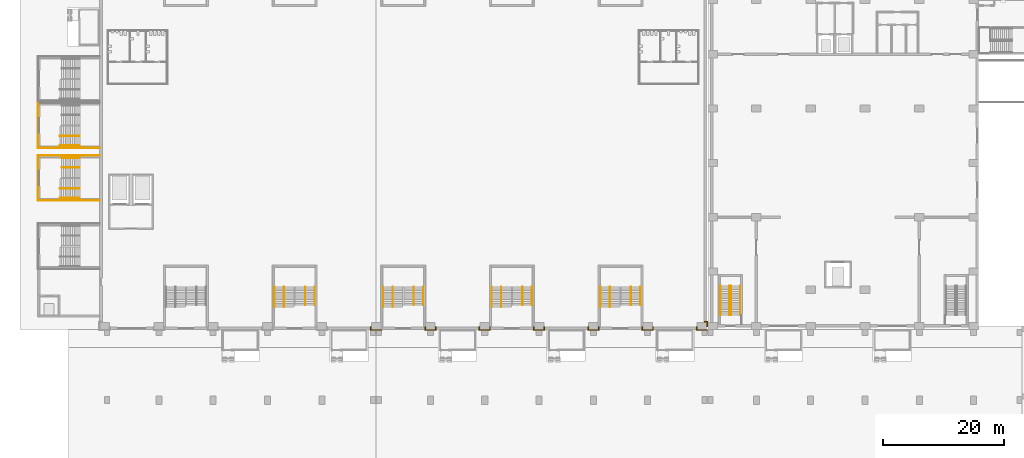
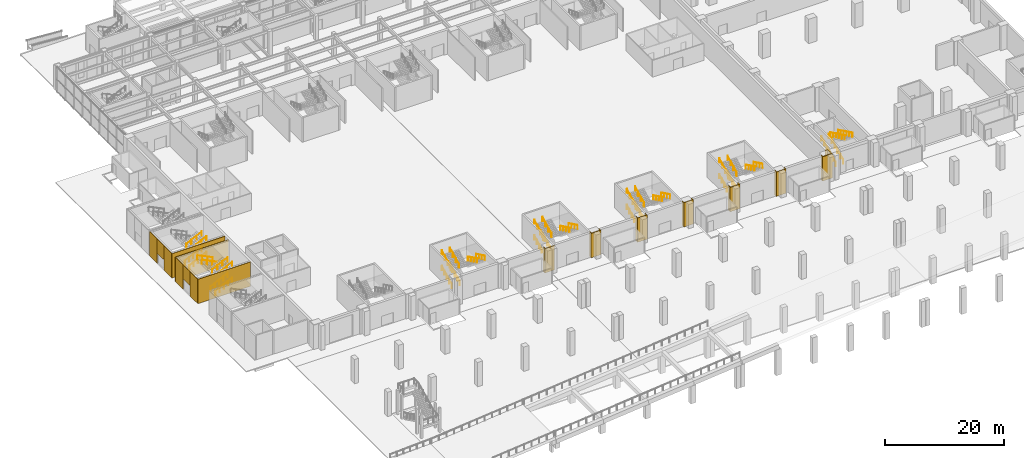
# One storey, part 65 of 77: 38 railings, 17 coverings.
"""IFC4 building model written with IfcOpenShell, lengths in metres."""

from ifc_helpers import new_model, si_unit, direction, frame, origin, origin_2d, place, context, subcontext, project, spatial, polyline, circle, outline, extrude, material, layer, layer_set, type_object, element, save


model = new_model("IFC4")

# Units and contexts
model_context = context("Model", 3, precision=1e-05, world=origin(), true_north=direction((0.0, 1.0)))
body_context = subcontext(model_context, "Body", "Model", "MODEL_VIEW")
ifc_project = project(units=[si_unit("LENGTHUNIT", "METRE"), si_unit("AREAUNIT", "SQUARE_METRE"), si_unit("VOLUMEUNIT", "CUBIC_METRE"), si_unit("PLANEANGLEUNIT", "RADIAN"), si_unit("MASSUNIT", "GRAM", prefix="KILO")], contexts=[model_context])

# Site, building, storey
site_placement = place(None, origin())
site = spatial("IfcSite", under=ifc_project, at=site_placement, CompositionType="ELEMENT")
building_placement = place(site_placement, origin())
building = spatial("IfcBuilding", under=site, at=building_placement, Name="Aravalli Gate Trade Fair Centre", CompositionType="ELEMENT")
storey_placement = place(building_placement, origin())
storey = spatial("IfcBuildingStorey", under=building, at=storey_placement, Name="L00", CompositionType="ELEMENT", Elevation=0.0)

# Railings
ifc_material_1 = material(Name="Steel E350", Category="steel")
railing_type_1 = type_object("IfcRailingType", Name="Congress stair handrail 900", PredefinedType="HANDRAIL", material=ifc_material_1)
for number, where, name in (
    (1, (108.070068359375, 47.800048828125, 0.147216796875), "Handrail GS1 L00 1"),
    (2, (109.550048828125, 47.800048828125, 0.147216796875), "Handrail GS1 L00 2"),
):
    element("IfcRailing", number, at=place(storey_placement, frame(where)), inside=storey, type_object=railing_type_1, Name=name, PredefinedType="HANDRAIL", context=body_context, shape_type="SweptSolid", body=[
        extrude(circle(Radius=0.02392578125, at=origin_2d()), frame((0.0, 0.0, 0.8759765625), z_axis=(0.0, 0.89793417156, 0.440129780343), x_axis=(-1.0, 0.0, 0.0)), (0.0, 0.0, 1.0), 5.345703125),
        extrude(circle(Radius=0.02099609375, at=origin_2d()), origin(), (0.0, 0.0, 1.0), 0.851806640625),
        extrude(circle(Radius=0.02099609375, at=origin_2d()), frame((0.0, 0.9599609375, 0.470458984375)), (0.0, 0.0, 1.0), 0.851806640625),
        extrude(circle(Radius=0.02099609375, at=origin_2d()), frame((0.0, 1.919921875, 0.941162109375)), (0.0, 0.0, 1.0), 0.851806640625),
        extrude(circle(Radius=0.02099609375, at=origin_2d()), frame((0.0, 2.880126953125, 1.41162109375)), (0.0, 0.0, 1.0), 0.851806640625),
        extrude(circle(Radius=0.02099609375, at=origin_2d()), frame((0.0, 3.840087890625, 1.88232421875)), (0.0, 0.0, 1.0), 0.851806640625),
        extrude(circle(Radius=0.02099609375, at=origin_2d()), frame((0.0, 4.800048828125, 2.352783203125)), (0.0, 0.0, 1.0), 0.851806640625),
    ])
for number, where, name in (
    (3, (111.330078125, 52.60009765625, 2.647216796875), "Handrail GS1 L00 3"),
    (4, (109.85009765625, 52.60009765625, 2.647216796875), "Handrail GS1 L00 4"),
):
    element("IfcRailing", number, at=place(storey_placement, frame(where)), inside=storey, type_object=railing_type_1, Name=name, PredefinedType="HANDRAIL", context=body_context, shape_type="SweptSolid", body=[
        extrude(circle(Radius=0.02392578125, at=origin_2d()), frame((0.0, 0.0, 0.8759765625), z_axis=(0.0, -0.89793417156, 0.440129780343), x_axis=(1.0, 0.0, 0.0)), (0.0, 0.0, 1.0), 5.345703125),
        extrude(circle(Radius=0.02099609375, at=origin_2d()), origin(), (0.0, 0.0, 1.0), 0.851806640625),
        extrude(circle(Radius=0.02099609375, at=origin_2d()), frame((0.0, -0.9599609375, 0.470458984375)), (0.0, 0.0, 1.0), 0.851806640625),
        extrude(circle(Radius=0.02099609375, at=origin_2d()), frame((0.0, -1.919921875, 0.941162109375)), (0.0, 0.0, 1.0), 0.851806640625),
        extrude(circle(Radius=0.02099609375, at=origin_2d()), frame((0.0, -2.880126953125, 1.41162109375)), (0.0, 0.0, 1.0), 0.851806640625),
        extrude(circle(Radius=0.02099609375, at=origin_2d()), frame((0.0, -3.840087890625, 1.88232421875)), (0.0, 0.0, 1.0), 0.851806640625),
        extrude(circle(Radius=0.02099609375, at=origin_2d()), frame((0.0, -4.800048828125, 2.352783203125)), (0.0, 0.0, 1.0), 0.851806640625),
    ])

# Coverings
ifc_material_2 = material(Name="Terracotta", Category="masonry")
ifc_layer_1 = layer(ifc_material_2, 0.10009765625)
ifc_layer_set_1 = layer_set([ifc_layer_1], Name="Terracotta")
covering_type_1 = type_object("IfcCoveringType", Name="End tower cladding 100", PredefinedType="CLADDING", material=ifc_layer_set_1)
covering_1_placement = place(storey_placement, origin())
element("IfcCovering", 5, at=covering_1_placement, inside=storey, type_object=covering_type_1, Name="End tower W2 cladding L00 side A", PredefinedType="CLADDING", context=body_context, shape_type="SweptSolid", body=[
    extrude(outline(polyline([(5.199951171875, 75.39990234375), (-5.10009765625, 75.39990234375), (-5.10009765625, 75.5), (5.199951171875, 75.5), (5.199951171875, 75.39990234375)])), origin(), (0.0, 0.0, 1.0), 5.0),
])
covering_2_placement = place(storey_placement, origin())
element("IfcCovering", 6, at=covering_2_placement, inside=storey, type_object=covering_type_1, Name="End tower W2 cladding L00 far left", PredefinedType="CLADDING", context=body_context, shape_type="SweptSolid", body=[
    extrude(outline(polyline([(-5.0, 75.5), (-5.10009765625, 75.5), (-5.10009765625, 78.02490234375), (-5.0, 78.02490234375), (-5.0, 75.5)])), origin(), (0.0, 0.0, 1.0), 5.0),
])
covering_3_placement = place(storey_placement, origin())
element("IfcCovering", 7, at=covering_3_placement, inside=storey, type_object=covering_type_1, Name="End tower W2 cladding L00 far right", PredefinedType="CLADDING", context=body_context, shape_type="SweptSolid", body=[
    extrude(outline(polyline([(-5.0, 80.375), (-5.10009765625, 80.375), (-5.10009765625, 82.89990234375), (-5.0, 82.89990234375), (-5.0, 80.375)])), origin(), (0.0, 0.0, 1.0), 5.0),
])
covering_4_placement = place(storey_placement, frame((0.0, 0.0, 2.10009765625)))
element("IfcCovering", 8, at=covering_4_placement, inside=storey, type_object=covering_type_1, Name="End tower W2 cladding L00 above the door", PredefinedType="CLADDING", context=body_context, shape_type="SweptSolid", body=[
    extrude(outline(polyline([(-5.0, 78.02490234375), (-5.10009765625, 78.02490234375), (-5.10009765625, 80.375), (-5.0, 80.375), (-5.0, 78.02490234375)])), origin(), (0.0, 0.0, 1.0), 2.89990234375),
])
covering_5_placement = place(storey_placement, origin())
element("IfcCovering", 9, at=covering_5_placement, inside=storey, type_object=covering_type_1, Name="End tower W4 cladding L00 side A", PredefinedType="CLADDING", context=body_context, shape_type="SweptSolid", body=[
    extrude(outline(polyline([(5.199951171875, 66.699951171875), (-5.10009765625, 66.699951171875), (-5.10009765625, 66.800048828125), (5.199951171875, 66.800048828125), (5.199951171875, 66.699951171875)])), origin(), (0.0, 0.0, 1.0), 5.0),
])
covering_6_placement = place(storey_placement, origin())
element("IfcCovering", 10, at=covering_6_placement, inside=storey, type_object=covering_type_1, Name="End tower W4 cladding L00 side B", PredefinedType="CLADDING", context=body_context, shape_type="SweptSolid", body=[
    extrude(outline(polyline([(5.199951171875, 74.199951171875), (-5.10009765625, 74.199951171875), (-5.10009765625, 74.300048828125), (5.199951171875, 74.300048828125), (5.199951171875, 74.199951171875)])), origin(), (0.0, 0.0, 1.0), 5.0),
])
covering_7_placement = place(storey_placement, origin())
element("IfcCovering", 11, at=covering_7_placement, inside=storey, type_object=covering_type_1, Name="End tower W4 cladding L00 far left", PredefinedType="CLADDING", context=body_context, shape_type="SweptSolid", body=[
    extrude(outline(polyline([(-5.0, 66.800048828125), (-5.10009765625, 66.800048828125), (-5.10009765625, 69.324951171875), (-5.0, 69.324951171875), (-5.0, 66.800048828125)])), origin(), (0.0, 0.0, 1.0), 5.0),
])
covering_8_placement = place(storey_placement, origin())
element("IfcCovering", 12, at=covering_8_placement, inside=storey, type_object=covering_type_1, Name="End tower W4 cladding L00 far right", PredefinedType="CLADDING", context=body_context, shape_type="SweptSolid", body=[
    extrude(outline(polyline([(-5.0, 71.675048828125), (-5.10009765625, 71.675048828125), (-5.10009765625, 74.199951171875), (-5.0, 74.199951171875), (-5.0, 71.675048828125)])), origin(), (0.0, 0.0, 1.0), 5.0),
])
covering_9_placement = place(storey_placement, frame((0.0, 0.0, 2.10009765625)))
element("IfcCovering", 13, at=covering_9_placement, inside=storey, type_object=covering_type_1, Name="End tower W4 cladding L00 above the door", PredefinedType="CLADDING", context=body_context, shape_type="SweptSolid", body=[
    extrude(outline(polyline([(-5.0, 69.324951171875), (-5.10009765625, 69.324951171875), (-5.10009765625, 71.675048828125), (-5.0, 71.675048828125), (-5.0, 69.324951171875)])), origin(), (0.0, 0.0, 1.0), 2.89990234375),
])

# Railings
railing_type_2 = type_object("IfcRailingType", Name="Stair handrail 900", PredefinedType="HANDRAIL", material=ifc_material_1)
for number, where, name in (
    (14, (34.169921875, 49.14990234375, 0.147216796875), "Handrail S04 L00 1"),
    (15, (35.75, 49.14990234375, 0.147216796875), "Handrail centre S04 L00 2"),
):
    element("IfcRailing", number, at=place(storey_placement, frame(where)), inside=storey, type_object=railing_type_2, Name=name, PredefinedType="HANDRAIL", context=body_context, shape_type="SweptSolid", body=[
        extrude(circle(Radius=0.02392578125, at=origin_2d()), frame((0.0, 0.0, 0.8759765625), z_axis=(0.0, 0.897946461621, 0.440104705795), x_axis=(-1.0, 0.0, 0.0)), (0.0, 0.0, 1.0), 3.675048828125),
        extrude(circle(Radius=0.02099609375, at=origin_2d()), origin(), (0.0, 0.0, 1.0), 0.851806640625),
        extrude(circle(Radius=0.02099609375, at=origin_2d()), frame((0.0, 0.824951171875, 0.404296875)), (0.0, 0.0, 1.0), 0.851806640625),
        extrude(circle(Radius=0.02099609375, at=origin_2d()), frame((0.0, 1.64990234375, 0.80859375)), (0.0, 0.0, 1.0), 0.851806640625),
        extrude(circle(Radius=0.02099609375, at=origin_2d()), frame((0.0, 2.47509765625, 1.213134765625)), (0.0, 0.0, 1.0), 0.851806640625),
        extrude(circle(Radius=0.02099609375, at=origin_2d()), frame((0.0, 3.300048828125, 1.617431640625)), (0.0, 0.0, 1.0), 0.851806640625),
    ])
for number, where, name in (
    (16, (40.830078125, 52.449951171875, 1.911865234375), "Handrail S04 L00 3"),
    (17, (39.25, 52.449951171875, 1.911865234375), "Handrail centre S04 L00 4"),
):
    element("IfcRailing", number, at=place(storey_placement, frame(where)), inside=storey, type_object=railing_type_2, Name=name, PredefinedType="HANDRAIL", context=body_context, shape_type="SweptSolid", body=[
        extrude(circle(Radius=0.02392578125, at=origin_2d()), frame((0.0, 0.0, 0.8759765625), z_axis=(0.0, -0.897936012048, 0.440126025437), x_axis=(1.0, 0.0, 0.0)), (0.0, 0.0, 1.0), 3.341064453125),
        extrude(circle(Radius=0.02099609375, at=origin_2d()), origin(), (0.0, 0.0, 1.0), 0.851806640625),
        extrude(circle(Radius=0.02099609375, at=origin_2d()), frame((0.0, -1.0, 0.490234375)), (0.0, 0.0, 1.0), 0.851806640625),
        extrude(circle(Radius=0.02099609375, at=origin_2d()), frame((0.0, -2.0, 0.980224609375)), (0.0, 0.0, 1.0), 0.851806640625),
        extrude(circle(Radius=0.02099609375, at=origin_2d()), frame((0.0, -3.0, 1.470458984375)), (0.0, 0.0, 1.0), 0.851806640625),
    ])
for number, where, name in (
    (18, (34.169921875, 49.449951171875, 3.529296875), "Handrail S04 L00 5"),
    (19, (35.75, 49.449951171875, 3.529296875), "Handrail centre S04 L00 6"),
):
    element("IfcRailing", number, at=place(storey_placement, frame(where)), inside=storey, type_object=railing_type_2, Name=name, PredefinedType="HANDRAIL", context=body_context, shape_type="SweptSolid", body=[
        extrude(circle(Radius=0.02392578125, at=origin_2d()), frame((0.0, 0.0, 0.8759765625), z_axis=(0.0, 0.897907131747, 0.44018494154), x_axis=(-1.0, 0.0, 0.0)), (0.0, 0.0, 1.0), 3.341064453125),
        extrude(circle(Radius=0.02099609375, at=origin_2d()), origin(), (0.0, 0.0, 1.0), 0.851806640625),
        extrude(circle(Radius=0.02099609375, at=origin_2d()), frame((0.0, 1.0, 0.490234375)), (0.0, 0.0, 1.0), 0.851806640625),
        extrude(circle(Radius=0.02099609375, at=origin_2d()), frame((0.0, 2.0, 0.98046875)), (0.0, 0.0, 1.0), 0.851806640625),
        extrude(circle(Radius=0.02099609375, at=origin_2d()), frame((0.0, 3.0, 1.470703125)), (0.0, 0.0, 1.0), 0.851806640625),
    ])
for number, where, name in (
    (20, (52.169921875, 49.14990234375, 0.147216796875), "Handrail S06 L00 1"),
    (21, (53.75, 49.14990234375, 0.147216796875), "Handrail centre S06 L00 2"),
):
    element("IfcRailing", number, at=place(storey_placement, frame(where)), inside=storey, type_object=railing_type_2, Name=name, PredefinedType="HANDRAIL", context=body_context, shape_type="SweptSolid", body=[
        extrude(circle(Radius=0.02392578125, at=origin_2d()), frame((0.0, 0.0, 0.8759765625), z_axis=(0.0, 0.897946461621, 0.440104705795), x_axis=(-1.0, 0.0, 0.0)), (0.0, 0.0, 1.0), 3.675048828125),
        extrude(circle(Radius=0.02099609375, at=origin_2d()), origin(), (0.0, 0.0, 1.0), 0.851806640625),
        extrude(circle(Radius=0.02099609375, at=origin_2d()), frame((0.0, 0.824951171875, 0.404296875)), (0.0, 0.0, 1.0), 0.851806640625),
        extrude(circle(Radius=0.02099609375, at=origin_2d()), frame((0.0, 1.64990234375, 0.80859375)), (0.0, 0.0, 1.0), 0.851806640625),
        extrude(circle(Radius=0.02099609375, at=origin_2d()), frame((0.0, 2.47509765625, 1.213134765625)), (0.0, 0.0, 1.0), 0.851806640625),
        extrude(circle(Radius=0.02099609375, at=origin_2d()), frame((0.0, 3.300048828125, 1.617431640625)), (0.0, 0.0, 1.0), 0.851806640625),
    ])
for number, where, name in (
    (22, (58.830078125, 52.449951171875, 1.911865234375), "Handrail S06 L00 3"),
    (23, (57.25, 52.449951171875, 1.911865234375), "Handrail centre S06 L00 4"),
):
    element("IfcRailing", number, at=place(storey_placement, frame(where)), inside=storey, type_object=railing_type_2, Name=name, PredefinedType="HANDRAIL", context=body_context, shape_type="SweptSolid", body=[
        extrude(circle(Radius=0.02392578125, at=origin_2d()), frame((0.0, 0.0, 0.8759765625), z_axis=(0.0, -0.897936012048, 0.440126025437), x_axis=(1.0, 0.0, 0.0)), (0.0, 0.0, 1.0), 3.341064453125),
        extrude(circle(Radius=0.02099609375, at=origin_2d()), origin(), (0.0, 0.0, 1.0), 0.851806640625),
        extrude(circle(Radius=0.02099609375, at=origin_2d()), frame((0.0, -1.0, 0.490234375)), (0.0, 0.0, 1.0), 0.851806640625),
        extrude(circle(Radius=0.02099609375, at=origin_2d()), frame((0.0, -2.0, 0.980224609375)), (0.0, 0.0, 1.0), 0.851806640625),
        extrude(circle(Radius=0.02099609375, at=origin_2d()), frame((0.0, -3.0, 1.470458984375)), (0.0, 0.0, 1.0), 0.851806640625),
    ])
for number, where, name in (
    (24, (52.169921875, 49.449951171875, 3.529296875), "Handrail S06 L00 5"),
    (25, (53.75, 49.449951171875, 3.529296875), "Handrail centre S06 L00 6"),
):
    element("IfcRailing", number, at=place(storey_placement, frame(where)), inside=storey, type_object=railing_type_2, Name=name, PredefinedType="HANDRAIL", context=body_context, shape_type="SweptSolid", body=[
        extrude(circle(Radius=0.02392578125, at=origin_2d()), frame((0.0, 0.0, 0.8759765625), z_axis=(0.0, 0.897907131747, 0.44018494154), x_axis=(-1.0, 0.0, 0.0)), (0.0, 0.0, 1.0), 3.341064453125),
        extrude(circle(Radius=0.02099609375, at=origin_2d()), origin(), (0.0, 0.0, 1.0), 0.851806640625),
        extrude(circle(Radius=0.02099609375, at=origin_2d()), frame((0.0, 1.0, 0.490234375)), (0.0, 0.0, 1.0), 0.851806640625),
        extrude(circle(Radius=0.02099609375, at=origin_2d()), frame((0.0, 2.0, 0.98046875)), (0.0, 0.0, 1.0), 0.851806640625),
        extrude(circle(Radius=0.02099609375, at=origin_2d()), frame((0.0, 3.0, 1.470703125)), (0.0, 0.0, 1.0), 0.851806640625),
    ])
for number, where, name in (
    (26, (70.169921875, 49.14990234375, 0.147216796875), "Handrail S08 L00 1"),
    (27, (71.75, 49.14990234375, 0.147216796875), "Handrail centre S08 L00 2"),
):
    element("IfcRailing", number, at=place(storey_placement, frame(where)), inside=storey, type_object=railing_type_2, Name=name, PredefinedType="HANDRAIL", context=body_context, shape_type="SweptSolid", body=[
        extrude(circle(Radius=0.02392578125, at=origin_2d()), frame((0.0, 0.0, 0.8759765625), z_axis=(0.0, 0.897946461621, 0.440104705795), x_axis=(-1.0, 0.0, 0.0)), (0.0, 0.0, 1.0), 3.675048828125),
        extrude(circle(Radius=0.02099609375, at=origin_2d()), origin(), (0.0, 0.0, 1.0), 0.851806640625),
        extrude(circle(Radius=0.02099609375, at=origin_2d()), frame((0.0, 0.824951171875, 0.404296875)), (0.0, 0.0, 1.0), 0.851806640625),
        extrude(circle(Radius=0.02099609375, at=origin_2d()), frame((0.0, 1.64990234375, 0.80859375)), (0.0, 0.0, 1.0), 0.851806640625),
        extrude(circle(Radius=0.02099609375, at=origin_2d()), frame((0.0, 2.47509765625, 1.213134765625)), (0.0, 0.0, 1.0), 0.851806640625),
        extrude(circle(Radius=0.02099609375, at=origin_2d()), frame((0.0, 3.300048828125, 1.617431640625)), (0.0, 0.0, 1.0), 0.851806640625),
    ])
for number, where, name in (
    (28, (76.830078125, 52.449951171875, 1.911865234375), "Handrail S08 L00 3"),
    (29, (75.25, 52.449951171875, 1.911865234375), "Handrail centre S08 L00 4"),
):
    element("IfcRailing", number, at=place(storey_placement, frame(where)), inside=storey, type_object=railing_type_2, Name=name, PredefinedType="HANDRAIL", context=body_context, shape_type="SweptSolid", body=[
        extrude(circle(Radius=0.02392578125, at=origin_2d()), frame((0.0, 0.0, 0.8759765625), z_axis=(0.0, -0.897936012048, 0.440126025437), x_axis=(1.0, 0.0, 0.0)), (0.0, 0.0, 1.0), 3.341064453125),
        extrude(circle(Radius=0.02099609375, at=origin_2d()), origin(), (0.0, 0.0, 1.0), 0.851806640625),
        extrude(circle(Radius=0.02099609375, at=origin_2d()), frame((0.0, -1.0, 0.490234375)), (0.0, 0.0, 1.0), 0.851806640625),
        extrude(circle(Radius=0.02099609375, at=origin_2d()), frame((0.0, -2.0, 0.980224609375)), (0.0, 0.0, 1.0), 0.851806640625),
        extrude(circle(Radius=0.02099609375, at=origin_2d()), frame((0.0, -3.0, 1.470458984375)), (0.0, 0.0, 1.0), 0.851806640625),
    ])
for number, where, name in (
    (30, (70.169921875, 49.449951171875, 3.529296875), "Handrail S08 L00 5"),
    (31, (71.75, 49.449951171875, 3.529296875), "Handrail centre S08 L00 6"),
):
    element("IfcRailing", number, at=place(storey_placement, frame(where)), inside=storey, type_object=railing_type_2, Name=name, PredefinedType="HANDRAIL", context=body_context, shape_type="SweptSolid", body=[
        extrude(circle(Radius=0.02392578125, at=origin_2d()), frame((0.0, 0.0, 0.8759765625), z_axis=(0.0, 0.897907131747, 0.44018494154), x_axis=(-1.0, 0.0, 0.0)), (0.0, 0.0, 1.0), 3.341064453125),
        extrude(circle(Radius=0.02099609375, at=origin_2d()), origin(), (0.0, 0.0, 1.0), 0.851806640625),
        extrude(circle(Radius=0.02099609375, at=origin_2d()), frame((0.0, 1.0, 0.490234375)), (0.0, 0.0, 1.0), 0.851806640625),
        extrude(circle(Radius=0.02099609375, at=origin_2d()), frame((0.0, 2.0, 0.98046875)), (0.0, 0.0, 1.0), 0.851806640625),
        extrude(circle(Radius=0.02099609375, at=origin_2d()), frame((0.0, 3.0, 1.470703125)), (0.0, 0.0, 1.0), 0.851806640625),
    ])
for number, where, name in (
    (32, (88.169921875, 49.14990234375, 0.147216796875), "Handrail S10 L00 1"),
    (33, (89.75, 49.14990234375, 0.147216796875), "Handrail centre S10 L00 2"),
):
    element("IfcRailing", number, at=place(storey_placement, frame(where)), inside=storey, type_object=railing_type_2, Name=name, PredefinedType="HANDRAIL", context=body_context, shape_type="SweptSolid", body=[
        extrude(circle(Radius=0.02392578125, at=origin_2d()), frame((0.0, 0.0, 0.8759765625), z_axis=(0.0, 0.897946461621, 0.440104705795), x_axis=(-1.0, 0.0, 0.0)), (0.0, 0.0, 1.0), 3.675048828125),
        extrude(circle(Radius=0.02099609375, at=origin_2d()), origin(), (0.0, 0.0, 1.0), 0.851806640625),
        extrude(circle(Radius=0.02099609375, at=origin_2d()), frame((0.0, 0.824951171875, 0.404296875)), (0.0, 0.0, 1.0), 0.851806640625),
        extrude(circle(Radius=0.02099609375, at=origin_2d()), frame((0.0, 1.64990234375, 0.80859375)), (0.0, 0.0, 1.0), 0.851806640625),
        extrude(circle(Radius=0.02099609375, at=origin_2d()), frame((0.0, 2.47509765625, 1.213134765625)), (0.0, 0.0, 1.0), 0.851806640625),
        extrude(circle(Radius=0.02099609375, at=origin_2d()), frame((0.0, 3.300048828125, 1.617431640625)), (0.0, 0.0, 1.0), 0.851806640625),
    ])
for number, where, name in (
    (34, (94.830078125, 52.449951171875, 1.911865234375), "Handrail S10 L00 3"),
    (35, (93.25, 52.449951171875, 1.911865234375), "Handrail centre S10 L00 4"),
):
    element("IfcRailing", number, at=place(storey_placement, frame(where)), inside=storey, type_object=railing_type_2, Name=name, PredefinedType="HANDRAIL", context=body_context, shape_type="SweptSolid", body=[
        extrude(circle(Radius=0.02392578125, at=origin_2d()), frame((0.0, 0.0, 0.8759765625), z_axis=(0.0, -0.897936012048, 0.440126025437), x_axis=(1.0, 0.0, 0.0)), (0.0, 0.0, 1.0), 3.341064453125),
        extrude(circle(Radius=0.02099609375, at=origin_2d()), origin(), (0.0, 0.0, 1.0), 0.851806640625),
        extrude(circle(Radius=0.02099609375, at=origin_2d()), frame((0.0, -1.0, 0.490234375)), (0.0, 0.0, 1.0), 0.851806640625),
        extrude(circle(Radius=0.02099609375, at=origin_2d()), frame((0.0, -2.0, 0.980224609375)), (0.0, 0.0, 1.0), 0.851806640625),
        extrude(circle(Radius=0.02099609375, at=origin_2d()), frame((0.0, -3.0, 1.470458984375)), (0.0, 0.0, 1.0), 0.851806640625),
    ])
for number, where, name in (
    (36, (88.169921875, 49.449951171875, 3.529296875), "Handrail S10 L00 5"),
    (37, (89.75, 49.449951171875, 3.529296875), "Handrail centre S10 L00 6"),
):
    element("IfcRailing", number, at=place(storey_placement, frame(where)), inside=storey, type_object=railing_type_2, Name=name, PredefinedType="HANDRAIL", context=body_context, shape_type="SweptSolid", body=[
        extrude(circle(Radius=0.02392578125, at=origin_2d()), frame((0.0, 0.0, 0.8759765625), z_axis=(0.0, 0.897907131747, 0.44018494154), x_axis=(-1.0, 0.0, 0.0)), (0.0, 0.0, 1.0), 3.341064453125),
        extrude(circle(Radius=0.02099609375, at=origin_2d()), origin(), (0.0, 0.0, 1.0), 0.851806640625),
        extrude(circle(Radius=0.02099609375, at=origin_2d()), frame((0.0, 1.0, 0.490234375)), (0.0, 0.0, 1.0), 0.851806640625),
        extrude(circle(Radius=0.02099609375, at=origin_2d()), frame((0.0, 2.0, 0.98046875)), (0.0, 0.0, 1.0), 0.851806640625),
        extrude(circle(Radius=0.02099609375, at=origin_2d()), frame((0.0, 3.0, 1.470703125)), (0.0, 0.0, 1.0), 0.851806640625),
    ])
for number, where, name in (
    (38, (-1.39990234375, 75.8701171875, 0.147216796875), "Handrail W2 L00 1"),
    (39, (-1.39990234375, 77.449951171875, 0.147216796875), "Handrail centre W2 L00 2"),
):
    element("IfcRailing", number, at=place(storey_placement, frame(where)), inside=storey, type_object=railing_type_2, Name=name, PredefinedType="HANDRAIL", context=body_context, shape_type="SweptSolid", body=[
        extrude(circle(Radius=0.02392578125, at=origin_2d()), frame((0.0, 0.0, 0.8759765625), z_axis=(0.897933593325, 0.0, 0.440130960031), x_axis=(0.0, 1.0, 0.0)), (0.0, 0.0, 1.0), 3.6748046875),
        extrude(circle(Radius=0.02099609375, at=origin_2d()), origin(), (0.0, 0.0, 1.0), 0.851806640625),
        extrude(circle(Radius=0.02099609375, at=origin_2d()), frame((0.824951171875, 0.0, 0.404296875)), (0.0, 0.0, 1.0), 0.851806640625),
        extrude(circle(Radius=0.02099609375, at=origin_2d()), frame((1.64990234375, 0.0, 0.80859375)), (0.0, 0.0, 1.0), 0.851806640625),
        extrude(circle(Radius=0.02099609375, at=origin_2d()), frame((2.474853515625, 0.0, 1.213134765625)), (0.0, 0.0, 1.0), 0.851806640625),
        extrude(circle(Radius=0.02099609375, at=origin_2d()), frame((3.2998046875, 0.0, 1.617431640625)), (0.0, 0.0, 1.0), 0.851806640625),
    ])
for number, where, name in (
    (40, (-1.10009765625, 75.8701171875, 3.529296875), "Handrail W2 L00 5"),
    (41, (-1.10009765625, 77.449951171875, 3.529296875), "Handrail centre W2 L00 6"),
):
    element("IfcRailing", number, at=place(storey_placement, frame(where)), inside=storey, type_object=railing_type_2, Name=name, PredefinedType="HANDRAIL", context=body_context, shape_type="SweptSolid", body=[
        extrude(circle(Radius=0.02392578125, at=origin_2d()), frame((0.0, 0.0, 0.8759765625), z_axis=(0.897907131747, 0.0, 0.44018494154), x_axis=(0.0, 1.0, 0.0)), (0.0, 0.0, 1.0), 3.341064453125),
        extrude(circle(Radius=0.02099609375, at=origin_2d()), origin(), (0.0, 0.0, 1.0), 0.851806640625),
        extrude(circle(Radius=0.02099609375, at=origin_2d()), frame((1.0, 0.0, 0.490234375)), (0.0, 0.0, 1.0), 0.851806640625),
        extrude(circle(Radius=0.02099609375, at=origin_2d()), frame((2.0, 0.0, 0.98046875)), (0.0, 0.0, 1.0), 0.851806640625),
        extrude(circle(Radius=0.02099609375, at=origin_2d()), frame((3.0, 0.0, 1.470703125)), (0.0, 0.0, 1.0), 0.851806640625),
    ])
for number, where, name in (
    (42, (-1.39990234375, 67.169921875, 0.147216796875), "Handrail W4 L00 1"),
    (43, (-1.39990234375, 68.75, 0.147216796875), "Handrail centre W4 L00 2"),
):
    element("IfcRailing", number, at=place(storey_placement, frame(where)), inside=storey, type_object=railing_type_2, Name=name, PredefinedType="HANDRAIL", context=body_context, shape_type="SweptSolid", body=[
        extrude(circle(Radius=0.02392578125, at=origin_2d()), frame((0.0, 0.0, 0.8759765625), z_axis=(0.897933593325, 0.0, 0.440130960031), x_axis=(0.0, 1.0, 0.0)), (0.0, 0.0, 1.0), 3.6748046875),
        extrude(circle(Radius=0.02099609375, at=origin_2d()), origin(), (0.0, 0.0, 1.0), 0.851806640625),
        extrude(circle(Radius=0.02099609375, at=origin_2d()), frame((0.824951171875, 0.0, 0.404296875)), (0.0, 0.0, 1.0), 0.851806640625),
        extrude(circle(Radius=0.02099609375, at=origin_2d()), frame((1.64990234375, 0.0, 0.80859375)), (0.0, 0.0, 1.0), 0.851806640625),
        extrude(circle(Radius=0.02099609375, at=origin_2d()), frame((2.474853515625, 0.0, 1.213134765625)), (0.0, 0.0, 1.0), 0.851806640625),
        extrude(circle(Radius=0.02099609375, at=origin_2d()), frame((3.2998046875, 0.0, 1.617431640625)), (0.0, 0.0, 1.0), 0.851806640625),
    ])
for number, where, name in (
    (44, (1.89990234375, 73.830078125, 1.911865234375), "Handrail W4 L00 3"),
    (45, (1.89990234375, 72.25, 1.911865234375), "Handrail centre W4 L00 4"),
):
    element("IfcRailing", number, at=place(storey_placement, frame(where)), inside=storey, type_object=railing_type_2, Name=name, PredefinedType="HANDRAIL", context=body_context, shape_type="SweptSolid", body=[
        extrude(circle(Radius=0.02392578125, at=origin_2d()), frame((0.0, 0.0, 0.8759765625), z_axis=(-0.897936012048, 0.0, 0.440126025437), x_axis=(0.0, -1.0, 0.0)), (0.0, 0.0, 1.0), 3.341064453125),
        extrude(circle(Radius=0.02099609375, at=origin_2d()), origin(), (0.0, 0.0, 1.0), 0.851806640625),
        extrude(circle(Radius=0.02099609375, at=origin_2d()), frame((-1.0, 0.0, 0.490234375)), (0.0, 0.0, 1.0), 0.851806640625),
        extrude(circle(Radius=0.02099609375, at=origin_2d()), frame((-2.0, 0.0, 0.980224609375)), (0.0, 0.0, 1.0), 0.851806640625),
        extrude(circle(Radius=0.02099609375, at=origin_2d()), frame((-3.0, 0.0, 1.470458984375)), (0.0, 0.0, 1.0), 0.851806640625),
    ])
for number, where, name in (
    (46, (-1.10009765625, 67.169921875, 3.529296875), "Handrail W4 L00 5"),
    (47, (-1.10009765625, 68.75, 3.529296875), "Handrail centre W4 L00 6"),
):
    element("IfcRailing", number, at=place(storey_placement, frame(where)), inside=storey, type_object=railing_type_2, Name=name, PredefinedType="HANDRAIL", context=body_context, shape_type="SweptSolid", body=[
        extrude(circle(Radius=0.02392578125, at=origin_2d()), frame((0.0, 0.0, 0.8759765625), z_axis=(0.897907131747, 0.0, 0.44018494154), x_axis=(0.0, 1.0, 0.0)), (0.0, 0.0, 1.0), 3.341064453125),
        extrude(circle(Radius=0.02099609375, at=origin_2d()), origin(), (0.0, 0.0, 1.0), 0.851806640625),
        extrude(circle(Radius=0.02099609375, at=origin_2d()), frame((1.0, 0.0, 0.490234375)), (0.0, 0.0, 1.0), 0.851806640625),
        extrude(circle(Radius=0.02099609375, at=origin_2d()), frame((2.0, 0.0, 0.98046875)), (0.0, 0.0, 1.0), 0.851806640625),
        extrude(circle(Radius=0.02099609375, at=origin_2d()), frame((3.0, 0.0, 1.470703125)), (0.0, 0.0, 1.0), 0.851806640625),
    ])

# Coverings
ifc_material_3 = material(Name="Dholpur sandstone", Category="masonry")
ifc_layer_2 = layer(ifc_material_3, 0.14990234375)
ifc_layer_set_2 = layer_set([ifc_layer_2], Name="Dholpur sandstone")
covering_type_2 = type_object("IfcCoveringType", Name="Stone pier base", PredefinedType="CLADDING", material=ifc_layer_set_2)
covering_10_placement = place(storey_placement, origin())
element("IfcCovering", 48, at=covering_10_placement, inside=storey, type_object=covering_type_2, Name="Clad pier A6 L00", PredefinedType="CLADDING", context=body_context, shape_type="SweptSolid", body=[
    extrude(outline(polyline([(50.199951171875, 45.85009765625), (50.199951171875, 45.39990234375), (51.800048828125, 45.39990234375), (51.949951171875, 45.39990234375), (51.949951171875, 45.25), (50.050048828125, 45.25), (50.050048828125, 45.85009765625), (50.199951171875, 45.85009765625)])), origin(), (0.0, 0.0, 1.0), 5.0),
])
covering_11_placement = place(storey_placement, origin())
element("IfcCovering", 49, at=covering_11_placement, inside=storey, type_object=covering_type_2, Name="Clad pier A7 L00", PredefinedType="CLADDING", context=body_context, shape_type="SweptSolid", body=[
    extrude(outline(polyline([(59.050048828125, 45.85009765625), (59.199951171875, 45.85009765625), (59.199951171875, 45.39990234375), (60.800048828125, 45.39990234375), (60.800048828125, 45.85009765625), (60.949951171875, 45.85009765625), (60.949951171875, 45.25), (59.050048828125, 45.25), (59.050048828125, 45.85009765625)])), origin(), (0.0, 0.0, 1.0), 5.0),
])
covering_12_placement = place(storey_placement, origin())
element("IfcCovering", 50, at=covering_12_placement, inside=storey, type_object=covering_type_2, Name="Clad pier A8 L00", PredefinedType="CLADDING", context=body_context, shape_type="SweptSolid", body=[
    extrude(outline(polyline([(68.050048828125, 45.85009765625), (68.199951171875, 45.85009765625), (68.199951171875, 45.39990234375), (69.800048828125, 45.39990234375), (69.800048828125, 45.85009765625), (69.949951171875, 45.85009765625), (69.949951171875, 45.25), (68.050048828125, 45.25), (68.050048828125, 45.85009765625)])), origin(), (0.0, 0.0, 1.0), 5.0),
])
covering_13_placement = place(storey_placement, origin())
element("IfcCovering", 51, at=covering_13_placement, inside=storey, type_object=covering_type_2, Name="Clad pier A9 L00", PredefinedType="CLADDING", context=body_context, shape_type="SweptSolid", body=[
    extrude(outline(polyline([(77.050048828125, 45.85009765625), (77.199951171875, 45.85009765625), (77.199951171875, 45.39990234375), (78.800048828125, 45.39990234375), (78.800048828125, 45.85009765625), (78.949951171875, 45.85009765625), (78.949951171875, 45.25), (77.050048828125, 45.25), (77.050048828125, 45.85009765625)])), origin(), (0.0, 0.0, 1.0), 5.0),
])
covering_14_placement = place(storey_placement, origin())
element("IfcCovering", 52, at=covering_14_placement, inside=storey, type_object=covering_type_2, Name="Clad pier A10 L00", PredefinedType="CLADDING", context=body_context, shape_type="SweptSolid", body=[
    extrude(outline(polyline([(86.050048828125, 45.85009765625), (86.199951171875, 45.85009765625), (86.199951171875, 45.39990234375), (87.800048828125, 45.39990234375), (87.800048828125, 45.85009765625), (87.949951171875, 45.85009765625), (87.949951171875, 45.25), (86.050048828125, 45.25), (86.050048828125, 45.85009765625)])), origin(), (0.0, 0.0, 1.0), 5.0),
])
covering_15_placement = place(storey_placement, origin())
element("IfcCovering", 53, at=covering_15_placement, inside=storey, type_object=covering_type_2, Name="Clad pier A11 L00", PredefinedType="CLADDING", context=body_context, shape_type="SweptSolid", body=[
    extrude(outline(polyline([(95.050048828125, 45.85009765625), (95.199951171875, 45.85009765625), (95.199951171875, 45.39990234375), (96.800048828125, 45.39990234375), (96.800048828125, 45.85009765625), (96.949951171875, 45.85009765625), (96.949951171875, 45.25), (95.050048828125, 45.25), (95.050048828125, 45.85009765625)])), origin(), (0.0, 0.0, 1.0), 5.0),
])
covering_16_placement = place(storey_placement, origin())
element("IfcCovering", 54, at=covering_16_placement, inside=storey, type_object=covering_type_2, Name="Clad pier A12 L00", PredefinedType="CLADDING", context=body_context, shape_type="SweptSolid", body=[
    extrude(outline(polyline([(104.199951171875, 45.85009765625), (104.199951171875, 45.39990234375), (105.800048828125, 45.39990234375), (105.949951171875, 45.39990234375), (105.949951171875, 45.25), (104.050048828125, 45.25), (104.050048828125, 45.85009765625), (104.199951171875, 45.85009765625)])), origin(), (0.0, 0.0, 1.0), 5.0),
])
covering_17_placement = place(storey_placement, origin())
element("IfcCovering", 55, at=covering_17_placement, inside=storey, type_object=covering_type_2, Name="Clad pier A12 L00", PredefinedType="CLADDING", context=body_context, shape_type="SweptSolid", body=[
    extrude(outline(polyline([(105.800048828125, 46.60009765625), (105.35009765625, 46.60009765625), (105.35009765625, 46.75), (105.949951171875, 46.75), (105.949951171875, 45.85009765625), (105.800048828125, 45.85009765625), (105.800048828125, 46.60009765625)])), origin(), (0.0, 0.0, 1.0), 5.0),
])

save(model, "model.ifc")
